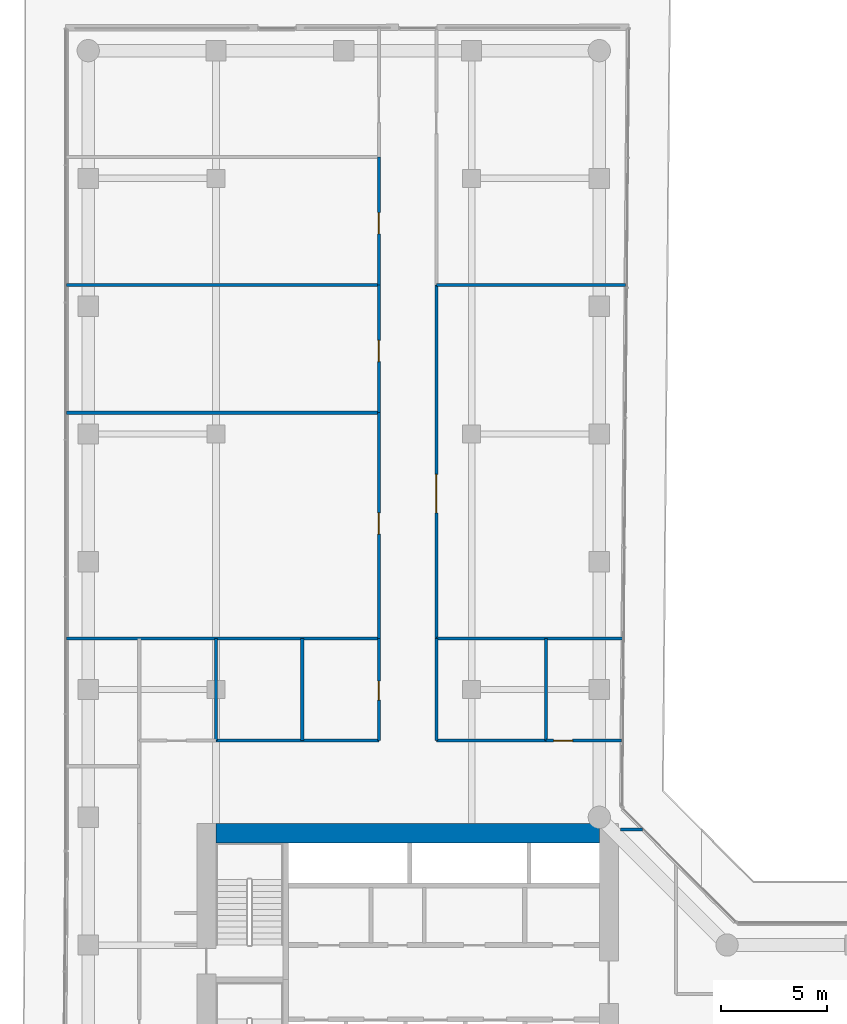
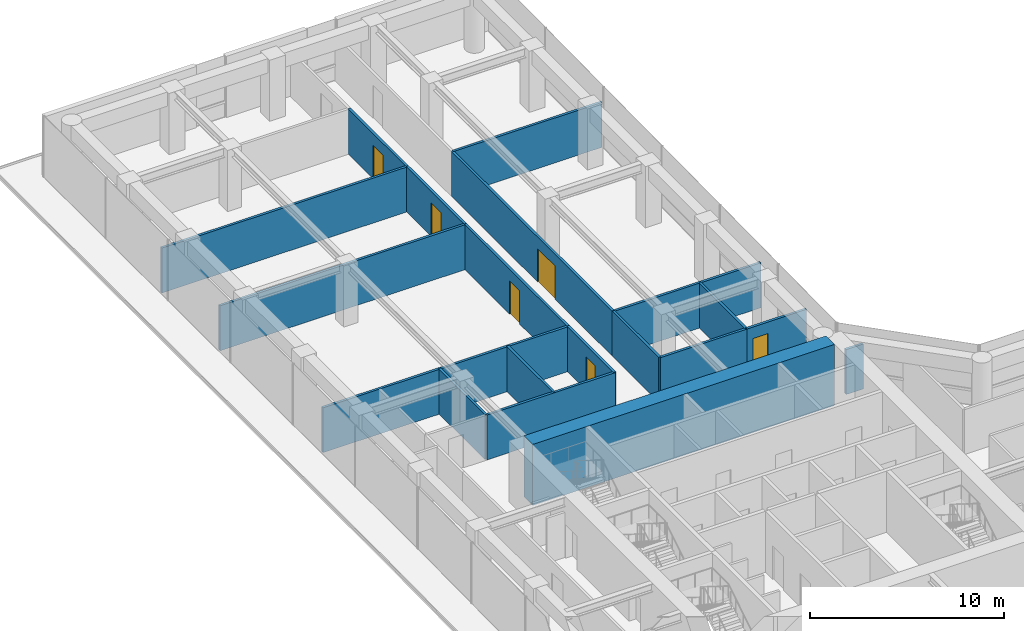
# One storey, part 25 of 29: 19 walls, 6 doors, 6 openings.
"""IFC4 building model written with IfcOpenShell, lengths in metres."""

from ifc_helpers import new_model, si_unit, direction, frame, frame_2d, origin, place, context, subcontext, project, spatial, rectangle, extrude, material, layer, layer_set, type_object, element, fill, save


model = new_model("IFC4")

# Units and contexts
model_context = context("Model", 3, precision=1e-05, world=origin(), true_north=direction((0.0, 1.0)))
body_context = subcontext(model_context, "Body", "Model", "MODEL_VIEW")
ifc_project = project(units=[si_unit("LENGTHUNIT", "METRE"), si_unit("AREAUNIT", "SQUARE_METRE"), si_unit("VOLUMEUNIT", "CUBIC_METRE"), si_unit("PLANEANGLEUNIT", "RADIAN"), si_unit("MASSUNIT", "GRAM", prefix="KILO")], contexts=[model_context])

# Site, building, storey
site_placement = place(None, origin())
site = spatial("IfcSite", under=ifc_project, at=site_placement, CompositionType="ELEMENT")
building_placement = place(site_placement, origin())
building = spatial("IfcBuilding", under=site, at=building_placement, Name="Welwitschia Terrace Campus", CompositionType="ELEMENT")
storey_placement = place(building_placement, frame((0.0, 0.0, 50.0)))
storey = spatial("IfcBuildingStorey", under=building, at=storey_placement, Name="L11", CompositionType="ELEMENT", Elevation=50.0)

# Walls
ifc_material_1 = material(Name="Concrete C70/85", Category="concrete")
ifc_layer_1 = layer(ifc_material_1, 0.89990234375)
ifc_layer_set_1 = layer_set([ifc_layer_1], Name="Concrete C70/85")
wall_type_1 = type_object("IfcWallType", Name="Core wall 900 Concrete C70/85", PredefinedType="SHEAR", material=ifc_layer_set_1)
wall_1_placement = place(storey_placement, frame((6.0, 25.25, 0.0), z_axis=(0.0, 0.0, 1.0), x_axis=(1.0, 0.0, 0.0)))
element("IfcWall", 1, at=wall_1_placement, inside=storey, type_object=wall_type_1, Name="Core outer wall", PredefinedType="SHEAR", context=body_context, shape_type="SweptSolid", body=[
    extrude(rectangle(XDim=18.0, YDim=0.89990234375, at=frame_2d((9.0, 0.0))), origin(), (0.0, 0.0, 1.0), 3.85009765625),
])
ifc_material_2 = material(Name="Gypsum board on steel studs", Category="steel")
ifc_layer_2 = layer(ifc_material_2, 0.14990234375)
ifc_layer_set_2 = layer_set([ifc_layer_2], Name="Gypsum board on steel studs")
wall_type_2 = type_object("IfcWallType", Name="Corridor partition 150 EI 30", PredefinedType="PARTITIONING", material=ifc_layer_set_2)
for number, where, z_axis, x_axis, name in (
    (2, (-1.010009765625, 34.39990234375, 0.0), (0.0, 0.0, 1.0), (1.0, 0.0, 0.0), "Partition"),
    (3, (-1.010009765625, 45.0, 0.0), (0.0, 0.0, 1.0), (1.0, 0.0, 0.0), "Partition"),
    (4, (-1.010009765625, 51.0, 0.0), (0.0, 0.0, 1.0), (1.0, 0.0, 0.0), "Partition"),
):
    element("IfcWall", number, at=place(storey_placement, frame(where, z_axis=z_axis, x_axis=x_axis)), inside=storey, type_object=wall_type_2, Name=name, PredefinedType="PARTITIONING", context=body_context, shape_type="SweptSolid", body=[
        extrude(rectangle(XDim=14.659912109375, YDim=0.14990234375, at=frame_2d((7.330078125, 0.0))), origin(), (0.0, 0.0, 1.0), 2.830078125),
    ])
wall_2_placement = place(storey_placement, frame((6.0, 29.60009765625, 0.0), z_axis=(0.0, 0.0, 1.0), x_axis=(0.0, 1.0, 0.0)))
element("IfcWall", 5, at=wall_2_placement, inside=storey, type_object=wall_type_2, Name="Partition", PredefinedType="PARTITIONING", context=body_context, shape_type="SweptSolid", body=[
    extrude(rectangle(XDim=4.7998046875, YDim=0.14990234375, at=frame_2d((2.39990234375, 0.0))), origin(), (0.0, 0.0, 1.0), 2.830078125),
])
wall_3_placement = place(storey_placement, frame((6.0, 29.60009765625, 0.0), z_axis=(0.0, 0.0, 1.0), x_axis=(1.0, 0.0, 0.0)))
element("IfcWall", 6, at=wall_3_placement, inside=storey, type_object=wall_type_2, Name="Partition", PredefinedType="PARTITIONING", context=body_context, shape_type="SweptSolid", body=[
    extrude(rectangle(XDim=7.64990234375, YDim=0.14990234375, at=frame_2d((3.824951171875, 0.0))), origin(), (0.0, 0.0, 1.0), 2.830078125),
])
wall_4_placement = place(storey_placement, frame((10.050048828125, 29.60009765625, 0.0), z_axis=(0.0, 0.0, 1.0), x_axis=(0.0, 1.0, 0.0)))
element("IfcWall", 7, at=wall_4_placement, inside=storey, type_object=wall_type_2, Name="Partition", PredefinedType="PARTITIONING", context=body_context, shape_type="SweptSolid", body=[
    extrude(rectangle(XDim=4.7998046875, YDim=0.14990234375, at=frame_2d((2.39990234375, 0.0))), origin(), (0.0, 0.0, 1.0), 2.830078125),
])

# Wall, opening, door
wall_5_placement = place(storey_placement, frame((13.64990234375, 29.60009765625, 0.0), z_axis=(0.0, 0.0, 1.0), x_axis=(0.0, 1.0, 0.0)))
wall_5 = element("IfcWall", 8, at=wall_5_placement, inside=storey, type_object=wall_type_2, Name="Partition", PredefinedType="PARTITIONING", context=body_context, shape_type="SweptSolid", body=[
    extrude(rectangle(XDim=4.7998046875, YDim=0.14990234375, at=frame_2d((2.39990234375, 0.0))), origin(), (0.0, 0.0, 1.0), 2.830078125),
])
opening_1_placement = place(wall_5_placement, frame((1.89990234375, 0.0, 0.0)))
opening_1 = element("IfcOpeningElement", 9, at=opening_1_placement, cuts=wall_5, Name="Opening DI09", PredefinedType="OPENING", context=body_context, shape_type="SweptSolid", body=[
    extrude(rectangle(XDim=0.89990234375, YDim=2.10009765625, at=frame_2d((0.449951171875, 1.050048828125))), frame((0.0, 0.0849609375, 0.0), z_axis=(0.0, -1.0, 0.0), x_axis=(1.0, 0.0, 0.0)), (0.0, 0.0, 1.0), 0.169921875),
])
ifc_material_3 = material(Name="Timber veneered door", Category="wood")
door_type_1 = type_object("IfcDoorType", Name="Interior door DI09", OperationType="NOTDEFINED", PredefinedType="DOOR", material=ifc_material_3)
door_1_placement = place(opening_1_placement, origin())
door_1 = element("IfcDoor", 10, at=door_1_placement, inside=storey, type_object=door_type_1, Name="Door L11 250", OperationType="SINGLE_SWING_LEFT", OverallHeight=2.10009765625, OverallWidth=0.89990234375, PredefinedType="DOOR", context=body_context, shape_type="SweptSolid", body=[
    extrude(rectangle(XDim=0.89990234375, YDim=2.10009765625, at=frame_2d((0.449951171875, 1.050048828125))), frame((0.0, 0.02490234375, 0.0), z_axis=(0.0, -1.0, 0.0), x_axis=(1.0, 0.0, 0.0)), (0.0, 0.0, 1.0), 0.050048828125),
])
fill(opening_1, door_1)

wall_6_placement = place(storey_placement, frame((13.64990234375, 34.39990234375, 0.0), z_axis=(0.0, 0.0, 1.0), x_axis=(0.0, 1.0, 0.0)))
wall_6 = element("IfcWall", 11, at=wall_6_placement, inside=storey, type_object=wall_type_2, Name="Partition", PredefinedType="PARTITIONING", context=body_context, shape_type="SweptSolid", body=[
    extrude(rectangle(XDim=10.60009765625, YDim=0.14990234375, at=frame_2d((5.300048828125, 0.0))), origin(), (0.0, 0.0, 1.0), 2.830078125),
])
opening_2_placement = place(wall_6_placement, frame((4.89990234375, 0.0, 0.0)))
opening_2 = element("IfcOpeningElement", 12, at=opening_2_placement, cuts=wall_6, Name="Opening DI10", PredefinedType="OPENING", context=body_context, shape_type="SweptSolid", body=[
    extrude(rectangle(XDim=1.0, YDim=2.10009765625, at=frame_2d((0.5, 1.050048828125))), frame((0.0, 0.0849609375, 0.0), z_axis=(0.0, -1.0, 0.0), x_axis=(1.0, 0.0, 0.0)), (0.0, 0.0, 1.0), 0.169921875),
])
ifc_material_4 = material(Name="Timber veneered door", Category="wood")
door_type_2 = type_object("IfcDoorType", Name="Interior door DI10", OperationType="NOTDEFINED", PredefinedType="DOOR", material=ifc_material_4)
door_2_placement = place(opening_2_placement, origin())
door_2 = element("IfcDoor", 13, at=door_2_placement, inside=storey, type_object=door_type_2, Name="Door L11 251", OperationType="SINGLE_SWING_RIGHT", OverallHeight=2.10009765625, OverallWidth=1.0, PredefinedType="DOOR", context=body_context, shape_type="SweptSolid", body=[
    extrude(rectangle(XDim=1.0, YDim=2.10009765625, at=frame_2d((0.5, 1.050048828125))), frame((0.0, 0.02490234375, 0.0), z_axis=(0.0, -1.0, 0.0), x_axis=(1.0, 0.0, 0.0)), (0.0, 0.0, 1.0), 0.050048828125),
])
fill(opening_2, door_2)

wall_7_placement = place(storey_placement, frame((13.64990234375, 45.0, 0.0), z_axis=(0.0, 0.0, 1.0), x_axis=(0.0, 1.0, 0.0)))
wall_7 = element("IfcWall", 14, at=wall_7_placement, inside=storey, type_object=wall_type_2, Name="Partition", PredefinedType="PARTITIONING", context=body_context, shape_type="SweptSolid", body=[
    extrude(rectangle(XDim=6.0, YDim=0.14990234375, at=frame_2d((3.0, 0.0))), origin(), (0.0, 0.0, 1.0), 2.830078125),
])
opening_3_placement = place(wall_7_placement, frame((2.39990234375, 0.0, 0.0)))
opening_3 = element("IfcOpeningElement", 15, at=opening_3_placement, cuts=wall_7, Name="Opening DI10", PredefinedType="OPENING", context=body_context, shape_type="SweptSolid", body=[
    extrude(rectangle(XDim=1.0, YDim=2.10009765625, at=frame_2d((0.5, 1.050048828125))), frame((0.0, 0.0849609375, 0.0), z_axis=(0.0, -1.0, 0.0), x_axis=(1.0, 0.0, 0.0)), (0.0, 0.0, 1.0), 0.169921875),
])
door_3_placement = place(opening_3_placement, origin())
door_3 = element("IfcDoor", 16, at=door_3_placement, inside=storey, type_object=door_type_2, Name="Door L11 252", OperationType="SINGLE_SWING_LEFT", OverallHeight=2.10009765625, OverallWidth=1.0, PredefinedType="DOOR", context=body_context, shape_type="SweptSolid", body=[
    extrude(rectangle(XDim=1.0, YDim=2.10009765625, at=frame_2d((0.5, 1.050048828125))), frame((0.0, 0.02490234375, 0.0), z_axis=(0.0, -1.0, 0.0), x_axis=(1.0, 0.0, 0.0)), (0.0, 0.0, 1.0), 0.050048828125),
])
fill(opening_3, door_3)

wall_8_placement = place(storey_placement, frame((13.64990234375, 51.0, 0.0), z_axis=(0.0, 0.0, 1.0), x_axis=(0.0, 1.0, 0.0)))
wall_8 = element("IfcWall", 17, at=wall_8_placement, inside=storey, type_object=wall_type_2, Name="Partition", PredefinedType="PARTITIONING", context=body_context, shape_type="SweptSolid", body=[
    extrude(rectangle(XDim=6.0, YDim=0.14990234375, at=frame_2d((3.0, 0.0))), origin(), (0.0, 0.0, 1.0), 2.830078125),
])
opening_4_placement = place(wall_8_placement, frame((2.39990234375, 0.0, 0.0)))
opening_4 = element("IfcOpeningElement", 18, at=opening_4_placement, cuts=wall_8, Name="Opening DI10", PredefinedType="OPENING", context=body_context, shape_type="SweptSolid", body=[
    extrude(rectangle(XDim=1.0, YDim=2.10009765625, at=frame_2d((0.5, 1.050048828125))), frame((0.0, 0.0849609375, 0.0), z_axis=(0.0, -1.0, 0.0), x_axis=(1.0, 0.0, 0.0)), (0.0, 0.0, 1.0), 0.169921875),
])
door_4_placement = place(opening_4_placement, origin())
door_4 = element("IfcDoor", 19, at=door_4_placement, inside=storey, type_object=door_type_2, Name="Door L11 253", OperationType="SINGLE_SWING_RIGHT", OverallHeight=2.10009765625, OverallWidth=1.0, PredefinedType="DOOR", context=body_context, shape_type="SweptSolid", body=[
    extrude(rectangle(XDim=1.0, YDim=2.10009765625, at=frame_2d((0.5, 1.050048828125))), frame((0.0, 0.02490234375, 0.0), z_axis=(0.0, -1.0, 0.0), x_axis=(1.0, 0.0, 0.0)), (0.0, 0.0, 1.0), 0.050048828125),
])
fill(opening_4, door_4)

# Walls
wall_9_placement = place(storey_placement, frame((16.35009765625, 29.60009765625, 0.0), z_axis=(0.0, 0.0, 1.0), x_axis=(0.0, 1.0, 0.0)))
element("IfcWall", 20, at=wall_9_placement, inside=storey, type_object=wall_type_2, Name="Partition", PredefinedType="PARTITIONING", context=body_context, shape_type="SweptSolid", body=[
    extrude(rectangle(XDim=4.7998046875, YDim=0.14990234375, at=frame_2d((2.39990234375, 0.0))), origin(), (0.0, 0.0, 1.0), 2.830078125),
])
wall_10_placement = place(storey_placement, frame((16.35009765625, 29.60009765625, 0.0), z_axis=(0.0, 0.0, 1.0), x_axis=(1.0, 0.0, 0.0)))
element("IfcWall", 21, at=wall_10_placement, inside=storey, type_object=wall_type_2, Name="Partition", PredefinedType="PARTITIONING", context=body_context, shape_type="SweptSolid", body=[
    extrude(rectangle(XDim=5.14990234375, YDim=0.14990234375, at=frame_2d((2.574951171875, 0.0))), origin(), (0.0, 0.0, 1.0), 2.830078125),
])

# Wall, opening, door
wall_11_placement = place(storey_placement, frame((16.35009765625, 34.39990234375, 0.0), z_axis=(0.0, 0.0, 1.0), x_axis=(0.0, 1.0, 0.0)))
wall_11 = element("IfcWall", 22, at=wall_11_placement, inside=storey, type_object=wall_type_2, Name="Partition", PredefinedType="PARTITIONING", context=body_context, shape_type="SweptSolid", body=[
    extrude(rectangle(XDim=16.60009765625, YDim=0.14990234375, at=frame_2d((8.300048828125, 0.0))), origin(), (0.0, 0.0, 1.0), 2.830078125),
])
opening_5_placement = place(wall_11_placement, frame((5.89990234375, 0.0, 0.0)))
opening_5 = element("IfcOpeningElement", 23, at=opening_5_placement, cuts=wall_11, Name="Opening DI18", PredefinedType="OPENING", context=body_context, shape_type="SweptSolid", body=[
    extrude(rectangle(XDim=1.800048828125, YDim=2.10009765625, at=frame_2d((0.89990234375, 1.050048828125))), frame((0.0, 0.0849609375, 0.0), z_axis=(0.0, -1.0, 0.0), x_axis=(1.0, 0.0, 0.0)), (0.0, 0.0, 1.0), 0.169921875),
])
ifc_material_5 = material(Name="Timber veneered door", Category="wood")
door_type_3 = type_object("IfcDoorType", Name="Interior door DI18", OperationType="DOUBLE_DOOR_SINGLE_SWING", PredefinedType="DOOR", material=ifc_material_5)
door_5_placement = place(opening_5_placement, origin())
door_5 = element("IfcDoor", 24, at=door_5_placement, inside=storey, type_object=door_type_3, Name="Door L11 255", OperationType="SINGLE_SWING_LEFT", OverallHeight=2.10009765625, OverallWidth=1.800048828125, PredefinedType="DOOR", context=body_context, shape_type="SweptSolid", body=[
    extrude(rectangle(XDim=1.800048828125, YDim=2.10009765625, at=frame_2d((0.89990234375, 1.050048828125))), frame((0.0, 0.02490234375, 0.0), z_axis=(0.0, -1.0, 0.0), x_axis=(1.0, 0.0, 0.0)), (0.0, 0.0, 1.0), 0.050048828125),
])
fill(opening_5, door_5)

# Walls
wall_12_placement = place(storey_placement, frame((16.35009765625, 34.39990234375, 0.0), z_axis=(0.0, 0.0, 1.0), x_axis=(1.0, 0.0, 0.0)))
element("IfcWall", 25, at=wall_12_placement, inside=storey, type_object=wall_type_2, Name="Partition", PredefinedType="PARTITIONING", context=body_context, shape_type="SweptSolid", body=[
    extrude(rectangle(XDim=8.75, YDim=0.14990234375, at=frame_2d((4.375, 0.0))), origin(), (0.0, 0.0, 1.0), 2.830078125),
])
wall_13_placement = place(storey_placement, frame((16.35009765625, 51.0, 0.0), z_axis=(0.0, 0.0, 1.0), x_axis=(1.0, 0.0, 0.0)))
element("IfcWall", 26, at=wall_13_placement, inside=storey, type_object=wall_type_2, Name="Partition", PredefinedType="PARTITIONING", context=body_context, shape_type="SweptSolid", body=[
    extrude(rectangle(XDim=8.874755859375, YDim=0.14990234375, at=frame_2d((4.4375, 0.0))), origin(), (0.0, 0.0, 1.0), 2.830078125),
])
wall_14_placement = place(storey_placement, frame((21.5, 29.60009765625, 0.0), z_axis=(0.0, 0.0, 1.0), x_axis=(0.0, 1.0, 0.0)))
element("IfcWall", 27, at=wall_14_placement, inside=storey, type_object=wall_type_2, Name="Partition", PredefinedType="PARTITIONING", context=body_context, shape_type="SweptSolid", body=[
    extrude(rectangle(XDim=4.7998046875, YDim=0.14990234375, at=frame_2d((2.39990234375, 0.0))), origin(), (0.0, 0.0, 1.0), 2.830078125),
])

# Wall, opening, door
wall_15_placement = place(storey_placement, frame((21.5, 29.60009765625, 0.0), z_axis=(0.0, 0.0, 1.0), x_axis=(1.0, 0.0, 0.0)))
wall_15 = element("IfcWall", 28, at=wall_15_placement, inside=storey, type_object=wall_type_2, Name="Partition", PredefinedType="PARTITIONING", context=body_context, shape_type="SweptSolid", body=[
    extrude(rectangle(XDim=3.550048828125, YDim=0.14990234375, at=frame_2d((1.77490234375, 0.0))), origin(), (0.0, 0.0, 1.0), 2.830078125),
])
opening_6_placement = place(wall_15_placement, frame((0.35009765625, 0.0, 0.0)))
opening_6 = element("IfcOpeningElement", 29, at=opening_6_placement, cuts=wall_15, Name="Opening DI09", PredefinedType="OPENING", context=body_context, shape_type="SweptSolid", body=[
    extrude(rectangle(XDim=0.89990234375, YDim=2.10009765625, at=frame_2d((0.449951171875, 1.050048828125))), frame((0.0, 0.0849609375, 0.0), z_axis=(0.0, -1.0, 0.0), x_axis=(1.0, 0.0, 0.0)), (0.0, 0.0, 1.0), 0.169921875),
])
door_6_placement = place(opening_6_placement, origin())
door_6 = element("IfcDoor", 30, at=door_6_placement, inside=storey, type_object=door_type_1, Name="Door L11 257", OperationType="SINGLE_SWING_RIGHT", OverallHeight=2.10009765625, OverallWidth=0.89990234375, PredefinedType="DOOR", context=body_context, shape_type="SweptSolid", body=[
    extrude(rectangle(XDim=0.89990234375, YDim=2.10009765625, at=frame_2d((0.449951171875, 1.050048828125))), frame((0.0, 0.02490234375, 0.0), z_axis=(0.0, -1.0, 0.0), x_axis=(1.0, 0.0, 0.0)), (0.0, 0.0, 1.0), 0.050048828125),
])
fill(opening_6, door_6)

# Wall
wall_16_placement = place(storey_placement, frame((25.0, 25.429931640625, 0.0), z_axis=(0.0, 0.0, 1.0), x_axis=(1.0, 0.0, 0.0)))
element("IfcWall", 31, at=wall_16_placement, inside=storey, type_object=wall_type_2, Name="Partition", PredefinedType="PARTITIONING", context=body_context, shape_type="SweptSolid", body=[
    extrude(rectangle(XDim=1.030029296875, YDim=0.14990234375, at=frame_2d((0.51513671875, 0.0))), origin(), (0.0, 0.0, 1.0), 2.830078125),
])

save(model, "model.ifc")
